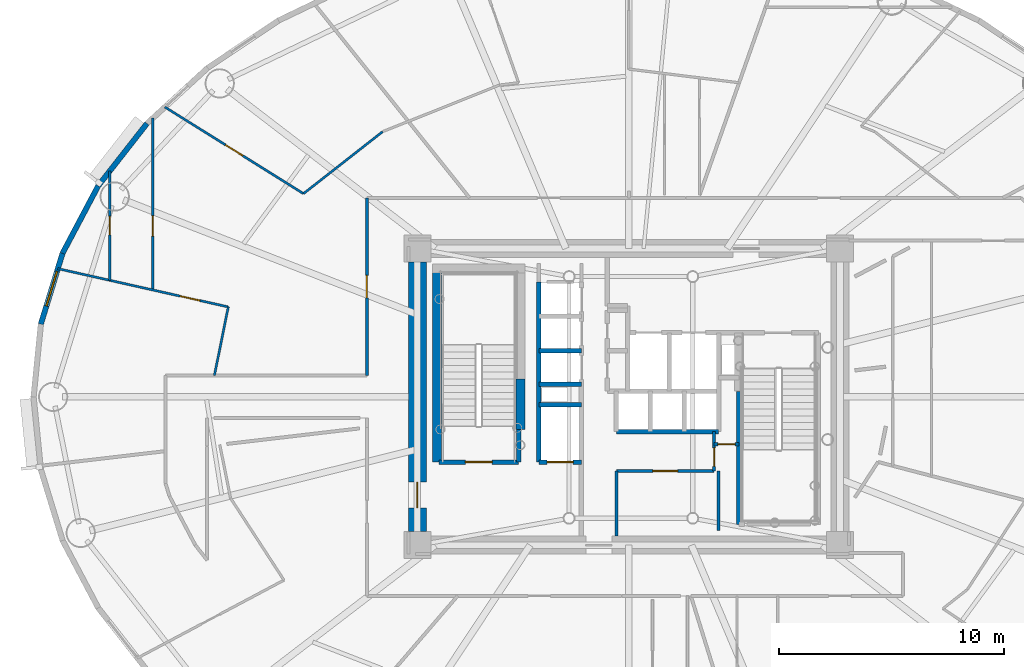
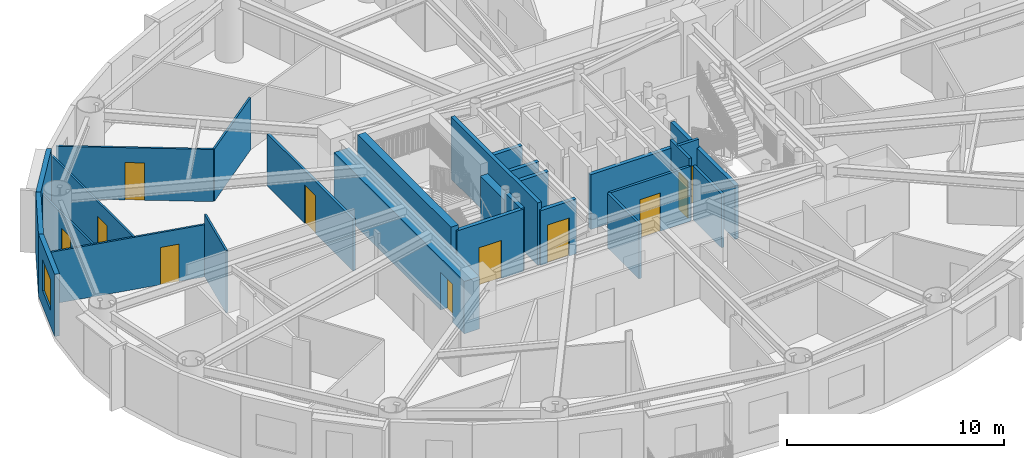
# One storey, part 7 of 17: 27 walls, 11 doors, 1 window, 12 openings.
"""IFC4 building model written with IfcOpenShell, lengths in metres."""

from ifc_helpers import new_model, si_unit, direction, frame, frame_2d, origin, origin_2d, place, context, subcontext, project, spatial, rectangle, extrude, source, transform, mapped, material, layer, layer_set, type_object, element, fill, save


model = new_model("IFC4")

# Units and contexts
model_context = context("Model", 3, precision=1e-05, world=origin(), true_north=direction((0.0, 1.0)))
body_context = subcontext(model_context, "Body", "Model", "MODEL_VIEW")
ifc_project = project(units=[si_unit("LENGTHUNIT", "METRE"), si_unit("AREAUNIT", "SQUARE_METRE"), si_unit("VOLUMEUNIT", "CUBIC_METRE"), si_unit("PLANEANGLEUNIT", "RADIAN"), si_unit("MASSUNIT", "GRAM", prefix="KILO")], contexts=[model_context])

# Site, building, storey
site_placement = place(None, origin())
site = spatial("IfcSite", under=ifc_project, at=site_placement, CompositionType="ELEMENT")
building_placement = place(site_placement, origin())
building = spatial("IfcBuilding", under=site, at=building_placement, Name="Linh Dai School and Residence Tower", CompositionType="ELEMENT")
storey_placement = place(building_placement, frame((0.0, 0.0, 182.39990234375)))
storey = spatial("IfcBuildingStorey", under=building, at=storey_placement, Name="L44", CompositionType="ELEMENT", Elevation=182.39990234375)

# Walls
ifc_material_1 = material(Name="Precast Concrete B45 (C35/45)", Category="concrete")
ifc_layer_1 = layer(ifc_material_1, 0.239990234375)
ifc_layer_set_1 = layer_set([ifc_layer_1], Name="Precast Concrete B45 (C35/45)")
wall_type_1 = type_object("IfcWallType", Name="EW-TC-240", PredefinedType="SOLIDWALL", material=ifc_layer_set_1)
wall_1_placement = place(storey_placement, frame((12.404052734375, 36.388427734375, 0.0), z_axis=(0.0, 0.0, 1.0), x_axis=(0.616287674549, 0.787521112224, 0.0)))
element("IfcWall", 1, at=wall_1_placement, inside=storey, type_object=wall_type_1, Name="L44 Terracotta Exterior Wall 17", PredefinedType="SOLIDWALL", context=body_context, shape_type="SweptSolid", body=[
    extrude(rectangle(XDim=3.517333984375, YDim=0.239990234375, at=frame_2d((1.7587890625, 0.0))), origin(), (0.0, 0.0, 1.0), 3.5),
])
wall_2_placement = place(storey_placement, frame((10.8173828125, 33.388916015625, 0.0), z_axis=(0.0, 0.0, 1.0), x_axis=(0.467586874938, 0.88394712194, 0.0)))
element("IfcWall", 2, at=wall_2_placement, inside=storey, type_object=wall_type_1, Name="L44 Terracotta Exterior Wall 18", PredefinedType="SOLIDWALL", context=body_context, shape_type="SweptSolid", body=[
    extrude(rectangle(XDim=3.393310546875, YDim=0.239990234375, at=frame_2d((1.69677734375, 0.0))), origin(), (0.0, 0.0, 1.0), 3.5),
])

# Wall, opening, window
wall_3_placement = place(storey_placement, frame((9.85009765625, 30.233642578125, 0.0), z_axis=(0.0, 0.0, 1.0), x_axis=(0.293097995113, 0.956082405058, 0.0)))
wall_3 = element("IfcWall", 3, at=wall_3_placement, inside=storey, type_object=wall_type_1, Name="L44 Terracotta Exterior Wall 19", PredefinedType="SOLIDWALL", context=body_context, shape_type="SweptSolid", body=[
    extrude(rectangle(XDim=3.30029296875, YDim=0.239990234375, at=frame_2d((1.650146484375, 0.0))), origin(), (0.0, 0.0, 1.0), 3.5),
])
opening_1_placement = place(wall_3_placement, frame((0.85009765625, 0.0, 0.89990234375)))
opening_1 = element("IfcOpeningElement", 4, at=opening_1_placement, cuts=wall_3, Name="Opening W2", PredefinedType="OPENING", context=body_context, shape_type="SweptSolid", body=[
    extrude(rectangle(XDim=1.60009765625, YDim=1.75, at=origin_2d()), frame((0.800048828125, 0.1298828125, 0.875), z_axis=(0.0, -1.0, 0.0), x_axis=(1.0, 0.0, 0.0)), (0.0, 0.0, 1.0), 0.260009765625),
])
ifc_material_2 = material(Name="Double Low-E Insulated Glazing", Category="glass")
window_type = type_object("IfcWindowType", Name="WN-RES-1600x1750", PartitioningType="DOUBLE_PANEL_VERTICAL", PredefinedType="WINDOW", material=ifc_material_2)
shared_shape_1 = source(origin(), body_context, "Body", "SweptSolid", [
    extrude(rectangle(XDim=1.60009765625, YDim=1.75, at=origin_2d()), frame((0.800048828125, 0.030029296875, 0.875), z_axis=(0.0, -1.0, 0.0), x_axis=(1.0, 0.0, 0.0)), (0.0, 0.0, 1.0), 0.06005859375),
])
window_placement = place(opening_1_placement, origin())
window = element("IfcWindow", 5, at=window_placement, inside=storey, type_object=window_type, Name="L44 Exterior Window 19.1", OverallHeight=1.75, OverallWidth=1.60009765625, PartitioningType="DOUBLE_PANEL_VERTICAL", PredefinedType="WINDOW", context=body_context, shape_type="MappedRepresentation", body=[
    mapped(shared_shape_1, transform((0.0, 0.0, 0.0), x_axis=(1.0, 0.0, 0.0), y_axis=(0.0, 1.0, 0.0), z_axis=(0.0, 0.0, 1.0), scale=1.0)),
])
fill(opening_1, window)

# Wall, opening, door
ifc_material_3 = material(Name="Autoclaved Aerated Concrete Blockwork", Category="masonry")
ifc_layer_2 = layer(ifc_material_3, 0.135009765625)
ifc_layer_set_2 = layer_set([ifc_layer_2], Name="Autoclaved Aerated Concrete Blockwork")
wall_type_2 = type_object("IfcWallType", Name="IW-CORR-135-EI90", PredefinedType="PARTITIONING", material=ifc_layer_set_2)
wall_4_placement = place(storey_placement, frame((24.35009765625, 27.949951171875, 0.0), z_axis=(0.0, 0.0, 1.0), x_axis=(0.0, 1.0, 0.0)))
wall_4 = element("IfcWall", 6, at=wall_4_placement, inside=storey, type_object=wall_type_2, Name="L44 Interior Partition Wall 023", PredefinedType="PARTITIONING", context=body_context, shape_type="SweptSolid", body=[
    extrude(rectangle(XDim=7.900146484375, YDim=0.135009765625, at=frame_2d((3.9501953125, 0.0))), origin(), (0.0, 0.0, 1.0), 2.93505859375),
])
opening_2_placement = place(wall_4_placement, frame((3.449951171875, 0.0, 0.0)))
opening_2 = element("IfcOpeningElement", 7, at=opening_2_placement, cuts=wall_4, Name="Opening D03", PredefinedType="OPENING", context=body_context, shape_type="SweptSolid", body=[
    extrude(rectangle(XDim=1.0, YDim=2.14990234375, at=origin_2d()), frame((0.5, 0.07763671875, 1.074951171875), z_axis=(0.0, -1.0, 0.0), x_axis=(1.0, 0.0, 0.0)), (0.0, 0.0, 1.0), 0.155029296875),
])
ifc_material_4 = material(Name="Fire-Rated Solid Timber Entrance Door", Category="wood")
door_type_1 = type_object("IfcDoorType", Name="DR-FLAT-1000x2150-FD60S", OperationType="NOTDEFINED", PredefinedType="DOOR", material=ifc_material_4)
shared_shape_2 = source(origin(), body_context, "Body", "SweptSolid", [
    extrude(rectangle(XDim=1.0, YDim=2.14990234375, at=origin_2d()), frame((0.5, 0.02490234375, 1.074951171875), z_axis=(0.0, -1.0, 0.0), x_axis=(1.0, 0.0, 0.0)), (0.0, 0.0, 1.0), 0.050048828125),
])
door_1_placement = place(opening_2_placement, origin())
door_1 = element("IfcDoor", 8, at=door_1_placement, inside=storey, type_object=door_type_1, Name="L44 U4403 Apartment Entrance Door", OperationType="SINGLE_SWING_LEFT", OverallHeight=2.14990234375, OverallWidth=1.0, PredefinedType="DOOR", context=body_context, shape_type="MappedRepresentation", body=[
    mapped(shared_shape_2, transform((0.0, 0.0, 0.0), x_axis=(1.0, 0.0, 0.0), y_axis=(0.0, 1.0, 0.0), z_axis=(0.0, 0.0, 1.0), scale=1.0)),
])
fill(opening_2, door_1)

# Wall
wall_5_placement = place(storey_placement, frame((35.449951171875, 20.800048828125, 0.0), z_axis=(0.0, 0.0, 1.0), x_axis=(0.0, 1.0, 0.0)))
element("IfcWall", 9, at=wall_5_placement, inside=storey, type_object=wall_type_2, Name="L44 Interior Partition Wall 047", PredefinedType="PARTITIONING", context=body_context, shape_type="SweptSolid", body=[
    extrude(rectangle(XDim=2.89990234375, YDim=0.135009765625, at=frame_2d((1.449951171875, 0.0))), origin(), (0.0, 0.0, 1.0), 3.085205078125),
])

# Wall, opening, door
wall_6_placement = place(storey_placement, frame((35.449951171875, 23.699951171875, 0.0), z_axis=(0.0, 0.0, 1.0), x_axis=(1.0, 0.0, 0.0)))
wall_6 = element("IfcWall", 10, at=wall_6_placement, inside=storey, type_object=wall_type_2, Name="L44 Interior Partition Wall 048", PredefinedType="PARTITIONING", context=body_context, shape_type="SweptSolid", body=[
    extrude(rectangle(XDim=4.35009765625, YDim=0.135009765625, at=frame_2d((2.175048828125, 0.0))), origin(), (0.0, 0.0, 1.0), 3.085205078125),
])
opening_3_placement = place(wall_6_placement, frame((1.625, 0.0, 0.0)))
opening_3 = element("IfcOpeningElement", 11, at=opening_3_placement, cuts=wall_6, Name="Opening D07", PredefinedType="OPENING", context=body_context, shape_type="SweptSolid", body=[
    extrude(rectangle(XDim=1.10009765625, YDim=2.14990234375, at=origin_2d()), frame((0.550048828125, 0.07763671875, 1.074951171875), z_axis=(0.0, -1.0, 0.0), x_axis=(1.0, 0.0, 0.0)), (0.0, 0.0, 1.0), 0.155029296875),
])
ifc_material_5 = material(Name="Fire-Rated Louvred Steel Plant Door", Category="steel")
door_type_2 = type_object("IfcDoorType", Name="DR-PLT-1100x2150-FD60S", OperationType="NOTDEFINED", PredefinedType="DOOR", material=ifc_material_5)
shared_shape_3 = source(origin(), body_context, "Body", "SweptSolid", [
    extrude(rectangle(XDim=1.10009765625, YDim=2.14990234375, at=origin_2d()), frame((0.550048828125, 0.02490234375, 1.074951171875), z_axis=(0.0, -1.0, 0.0), x_axis=(1.0, 0.0, 0.0)), (0.0, 0.0, 1.0), 0.050048828125),
])
door_2_placement = place(opening_3_placement, origin())
door_2 = element("IfcDoor", 12, at=door_2_placement, inside=storey, type_object=door_type_2, Name="L44 Tenant Metering and BMS Room Door", OperationType="SINGLE_SWING_LEFT", OverallHeight=2.14990234375, OverallWidth=1.10009765625, PredefinedType="DOOR", context=body_context, shape_type="MappedRepresentation", body=[
    mapped(shared_shape_3, transform((0.0, 0.0, 0.0), x_axis=(1.0, 0.0, 0.0), y_axis=(0.0, 1.0, 0.0), z_axis=(0.0, 0.0, 1.0), scale=1.0)),
])
fill(opening_3, door_2)

wall_7_placement = place(storey_placement, frame((39.800048828125, 23.699951171875, 0.0), z_axis=(0.0, 0.0, 1.0), x_axis=(0.0, 1.0, 0.0)))
wall_7 = element("IfcWall", 13, at=wall_7_placement, inside=storey, type_object=wall_type_2, Name="L44 Interior Partition Wall 068", PredefinedType="PARTITIONING", context=body_context, shape_type="SweptSolid", body=[
    extrude(rectangle(XDim=1.75, YDim=0.135009765625, at=frame_2d((0.875, 0.0))), origin(), (0.0, 0.0, 1.0), 3.5),
])
opening_4_placement = place(wall_7_placement, frame((0.2099609375, 0.0, 0.0)))
opening_4 = element("IfcOpeningElement", 14, at=opening_4_placement, cuts=wall_7, Name="Opening D06", PredefinedType="OPENING", context=body_context, shape_type="SweptSolid", body=[
    extrude(rectangle(XDim=0.820068359375, YDim=2.10009765625, at=origin_2d()), frame((0.41015625, 0.07763671875, 1.050048828125), z_axis=(0.0, -1.0, 0.0), x_axis=(1.0, 0.0, 0.0)), (0.0, 0.0, 1.0), 0.155029296875),
])
ifc_material_6 = material(Name="Moisture-Resistant Timber Bathroom Door", Category="wood")
door_type_3 = type_object("IfcDoorType", Name="DR-WET-820x2100", OperationType="NOTDEFINED", PredefinedType="DOOR", material=ifc_material_6)
shared_shape_4 = source(origin(), body_context, "Body", "SweptSolid", [
    extrude(rectangle(XDim=0.820068359375, YDim=2.10009765625, at=origin_2d()), frame((0.41015625, 0.02490234375, 1.050048828125), z_axis=(0.0, -1.0, 0.0), x_axis=(1.0, 0.0, 0.0)), (0.0, 0.0, 1.0), 0.050048828125),
])
door_3_placement = place(opening_4_placement, origin())
door_3 = element("IfcDoor", 15, at=door_3_placement, inside=storey, type_object=door_type_3, Name="L44 SE Metering Closet Door", OperationType="SINGLE_SWING_RIGHT", OverallHeight=2.10009765625, OverallWidth=0.820068359375, PredefinedType="DOOR", context=body_context, shape_type="MappedRepresentation", body=[
    mapped(shared_shape_4, transform((0.0, 0.0, 0.0), x_axis=(1.0, 0.0, 0.0), y_axis=(0.0, 1.0, 0.0), z_axis=(0.0, 0.0, 1.0), scale=1.0)),
])
fill(opening_4, door_3)

# Wall
wall_8_placement = place(storey_placement, frame((40.0, 23.699951171875, 0.0), z_axis=(0.0, 0.0, 1.0), x_axis=(0.0, -1.0, 0.0)))
element("IfcWall", 16, at=wall_8_placement, inside=storey, type_object=wall_type_2, Name="L44 Interior Partition Wall 102", PredefinedType="PARTITIONING", context=body_context, shape_type="SweptSolid", body=[
    extrude(rectangle(XDim=2.639892578125, YDim=0.135009765625, at=frame_2d((1.31982421875, 0.0))), origin(), (0.0, 0.0, 1.0), 3.03515625),
])

# Wall, opening, door
ifc_layer_3 = layer(ifc_material_3, 0.14990234375)
ifc_layer_set_3 = layer_set([ifc_layer_3], Name="Autoclaved Aerated Concrete Blockwork")
wall_type_3 = type_object("IfcWallType", Name="IW-SCH-150-EI60", PredefinedType="PARTITIONING", material=ifc_layer_set_3)
wall_9_placement = place(storey_placement, frame((39.800048828125, 24.89990234375, 0.0), z_axis=(0.0, 0.0, 1.0), x_axis=(1.0, 0.0, 0.0)))
wall_9 = element("IfcWall", 17, at=wall_9_placement, inside=storey, type_object=wall_type_3, Name="L44 Interior Partition Wall 069", PredefinedType="PARTITIONING", context=body_context, shape_type="SweptSolid", body=[
    extrude(rectangle(XDim=1.099853515625, YDim=0.14990234375, at=frame_2d((0.5498046875, 0.0))), origin(), (0.0, 0.0, 1.0), 3.5),
])
opening_5_placement = place(wall_9_placement, frame((0.169921875, 0.0, 0.0)))
opening_5 = element("IfcOpeningElement", 18, at=opening_5_placement, cuts=wall_9, Name="Opening D08", PredefinedType="OPENING", context=body_context, shape_type="SweptSolid", body=[
    extrude(rectangle(XDim=0.760009765625, YDim=2.10009765625, at=origin_2d()), frame((0.3798828125, 0.0849609375, 1.050048828125), z_axis=(0.0, -1.0, 0.0), x_axis=(1.0, 0.0, 0.0)), (0.0, 0.0, 1.0), 0.169921875),
])
ifc_material_7 = material(Name="Engineered Timber Closet and Study Door", Category="wood")
door_type_4 = type_object("IfcDoorType", Name="DR-CMP-760x2100", OperationType="NOTDEFINED", PredefinedType="DOOR", material=ifc_material_7)
shared_shape_5 = source(origin(), body_context, "Body", "SweptSolid", [
    extrude(rectangle(XDim=0.760009765625, YDim=2.10009765625, at=origin_2d()), frame((0.3798828125, 0.02490234375, 1.050048828125), z_axis=(0.0, -1.0, 0.0), x_axis=(1.0, 0.0, 0.0)), (0.0, 0.0, 1.0), 0.050048828125),
])
door_4_placement = place(opening_5_placement, origin())
door_4 = element("IfcDoor", 19, at=door_4_placement, inside=storey, type_object=door_type_4, Name="L44 NE Cleaners Store Door", OperationType="SINGLE_SWING_LEFT", OverallHeight=2.10009765625, OverallWidth=0.760009765625, PredefinedType="DOOR", context=body_context, shape_type="MappedRepresentation", body=[
    mapped(shared_shape_5, transform((0.0, 0.0, 0.0), x_axis=(1.0, 0.0, 0.0), y_axis=(0.0, 1.0, 0.0), z_axis=(0.0, 0.0, 1.0), scale=1.0)),
])
fill(opening_5, door_4)

ifc_material_8 = material(Name="Concrete B45 (C35/45)", Category="concrete")
ifc_layer_4 = layer(ifc_material_8, 0.199951171875)
ifc_layer_set_4 = layer_set([ifc_layer_4], Name="Concrete B45 (C35/45)")
wall_type_4 = type_object("IfcWallType", Name="IW-SHAFT-200-EI120", PredefinedType="PARTITIONING", material=ifc_layer_set_4)
wall_10_placement = place(storey_placement, frame((27.56005859375, 24.10009765625, 0.0), z_axis=(0.0, 0.0, 1.0), x_axis=(1.0, 0.0, 0.0)))
wall_10 = element("IfcWall", 20, at=wall_10_placement, inside=storey, type_object=wall_type_4, Name="L44 Interior Partition Wall 027", PredefinedType="PARTITIONING", context=body_context, shape_type="SweptSolid", body=[
    extrude(rectangle(XDim=3.5400390625, YDim=0.199951171875, at=frame_2d((1.77001953125, 0.0))), origin(), (0.0, 0.0, 1.0), 3.5),
])
opening_6_placement = place(wall_10_placement, frame((1.169921875, 0.0, 0.0)))
opening_6 = element("IfcOpeningElement", 21, at=opening_6_placement, cuts=wall_10, Name="Opening D01", PredefinedType="OPENING", context=body_context, shape_type="SweptSolid", body=[
    extrude(rectangle(XDim=1.199951171875, YDim=2.14990234375, at=origin_2d()), frame((0.60009765625, 0.10986328125, 1.074951171875), z_axis=(0.0, -1.0, 0.0), x_axis=(1.0, 0.0, 0.0)), (0.0, 0.0, 1.0), 0.219970703125),
])
ifc_material_9 = material(Name="Fire-Rated Steel Door Leaf", Category="steel")
door_type_5 = type_object("IfcDoorType", Name="DR-STAIR-1200x2150-FD90S", OperationType="NOTDEFINED", PredefinedType="DOOR", material=ifc_material_9)
shared_shape_6 = source(origin(), body_context, "Body", "SweptSolid", [
    extrude(rectangle(XDim=1.199951171875, YDim=2.14990234375, at=origin_2d()), frame((0.60009765625, 0.02490234375, 1.074951171875), z_axis=(0.0, -1.0, 0.0), x_axis=(1.0, 0.0, 0.0)), (0.0, 0.0, 1.0), 0.050048828125),
])
door_5_placement = place(opening_6_placement, origin())
door_5 = element("IfcDoor", 22, at=door_5_placement, inside=storey, type_object=door_type_5, Name="L44 Core Smokeproof Exit Stair ST1 Door", OperationType="SINGLE_SWING_RIGHT", OverallHeight=2.14990234375, OverallWidth=1.199951171875, PredefinedType="DOOR", context=body_context, shape_type="MappedRepresentation", body=[
    mapped(shared_shape_6, transform((0.0, 0.0, 0.0), x_axis=(1.0, 0.0, 0.0), y_axis=(0.0, 1.0, 0.0), z_axis=(0.0, 0.0, 1.0), scale=1.0)),
])
fill(opening_6, door_5)

# Walls
wall_11_placement = place(storey_placement, frame((31.10009765625, 24.10009765625, 0.0), z_axis=(0.0, 0.0, 1.0), x_axis=(0.0, 1.0, 0.0)))
element("IfcWall", 23, at=wall_11_placement, inside=storey, type_object=wall_type_4, Name="L44 Interior Partition Wall 032", PredefinedType="PARTITIONING", context=body_context, shape_type="SweptSolid", body=[
    extrude(rectangle(XDim=1.43994140625, YDim=0.199951171875, at=frame_2d((0.719970703125, 0.0))), origin(), (0.0, 0.0, 1.0), 3.5),
])
wall_12_placement = place(storey_placement, frame((32.0, 24.10009765625, 0.0), z_axis=(0.0, 0.0, 1.0), x_axis=(0.0, 1.0, 0.0)))
element("IfcWall", 24, at=wall_12_placement, inside=storey, type_object=wall_type_4, Name="L44 Interior Partition Wall 033", PredefinedType="PARTITIONING", context=body_context, shape_type="SweptSolid", body=[
    extrude(rectangle(XDim=8.0, YDim=0.199951171875, at=frame_2d((4.0, 0.0))), origin(), (0.0, 0.0, 1.0), 3.5),
])

# Wall, opening, door
wall_13_placement = place(storey_placement, frame((32.0, 24.10009765625, 0.0), z_axis=(0.0, 0.0, 1.0), x_axis=(1.0, 0.0, 0.0)))
wall_13 = element("IfcWall", 25, at=wall_13_placement, inside=storey, type_object=wall_type_4, Name="L44 Interior Partition Wall 034", PredefinedType="PARTITIONING", context=body_context, shape_type="SweptSolid", body=[
    extrude(rectangle(XDim=1.89990234375, YDim=0.199951171875, at=frame_2d((0.949951171875, 0.0))), origin(), (0.0, 0.0, 1.0), 3.085205078125),
])
opening_7_placement = place(wall_13_placement, frame((0.375, 0.0, 0.0)))
opening_7 = element("IfcOpeningElement", 26, at=opening_7_placement, cuts=wall_13, Name="Opening LD-FF2", PredefinedType="OPENING", context=body_context, shape_type="SweptSolid", body=[
    extrude(rectangle(XDim=1.14990234375, YDim=2.14990234375, at=origin_2d()), frame((0.574951171875, 0.10986328125, 1.074951171875), z_axis=(0.0, -1.0, 0.0), x_axis=(1.0, 0.0, 0.0)), (0.0, 0.0, 1.0), 0.219970703125),
])
ifc_material_10 = material(Name="Fire-Rated Stainless Steel Firefighting Lift Door", Category="steel")
door_type_6 = type_object("IfcDoorType", Name="DR-LD-FF-1150x2150-FD120", OperationType="DOUBLE_DOOR_SLIDING", PredefinedType="USERDEFINED", material=ifc_material_10)
shared_shape_7 = source(origin(), body_context, "Body", "SweptSolid", [
    extrude(rectangle(XDim=1.14990234375, YDim=2.14990234375, at=origin_2d()), frame((0.574951171875, 0.02490234375, 1.074951171875), z_axis=(0.0, -1.0, 0.0), x_axis=(1.0, 0.0, 0.0)), (0.0, 0.0, 1.0), 0.050048828125),
])
door_6_placement = place(opening_7_placement, origin())
door_6 = element("IfcDoor", 27, at=door_6_placement, inside=storey, type_object=door_type_6, Name="L44 Lift FF2 Sliding Landing Door", ObjectType="LANDING DOOR", OperationType="DOUBLE_DOOR_SLIDING", OverallHeight=2.14990234375, OverallWidth=1.14990234375, PredefinedType="USERDEFINED", context=body_context, shape_type="MappedRepresentation", body=[
    mapped(shared_shape_7, transform((0.0, 0.0, 0.0), x_axis=(1.0, 0.0, 0.0), y_axis=(0.0, 1.0, 0.0), z_axis=(0.0, 0.0, 1.0), scale=1.0)),
])
fill(opening_7, door_6)

# Walls
for number, where, z_axis, x_axis, name in (
    (28, (32.0, 26.64990234375, 0.0), (0.0, 0.0, 1.0), (1.0, 0.0, 0.0), "L44 Interior Partition Wall 035"),
    (29, (32.0, 27.550048828125, 0.0), (0.0, 0.0, 1.0), (1.0, 0.0, 0.0), "L44 Interior Partition Wall 036"),
    (30, (32.0, 29.06005859375, 0.0), (0.0, 0.0, 1.0), (1.0, 0.0, 0.0), "L44 Interior Partition Wall 037"),
):
    element("IfcWall", number, at=place(storey_placement, frame(where, z_axis=z_axis, x_axis=x_axis)), inside=storey, type_object=wall_type_4, Name=name, PredefinedType="PARTITIONING", context=body_context, shape_type="SweptSolid", body=[
        extrude(rectangle(XDim=1.89990234375, YDim=0.199951171875, at=frame_2d((0.949951171875, 0.0))), origin(), (0.0, 0.0, 1.0), 3.085205078125),
    ])
wall_14_placement = place(storey_placement, frame((35.449951171875, 25.449951171875, 0.0), z_axis=(0.0, 0.0, 1.0), x_axis=(1.0, 0.0, 0.0)))
element("IfcWall", 31, at=wall_14_placement, inside=storey, type_object=wall_type_4, Name="L44 Interior Partition Wall 050", PredefinedType="PARTITIONING", context=body_context, shape_type="SweptSolid", body=[
    extrude(rectangle(XDim=4.550048828125, YDim=0.199951171875, at=frame_2d((2.27490234375, 0.0))), origin(), (0.0, 0.0, 1.0), 3.085205078125),
])
wall_15_placement = place(storey_placement, frame((40.89990234375, 21.330078125, 0.0), z_axis=(0.0, 0.0, 1.0), x_axis=(0.0, 1.0, 0.0)))
element("IfcWall", 32, at=wall_15_placement, inside=storey, type_object=wall_type_4, Name="L44 Interior Partition Wall 073", PredefinedType="PARTITIONING", context=body_context, shape_type="SweptSolid", body=[
    extrude(rectangle(XDim=5.909912109375, YDim=0.199951171875, at=frame_2d((2.955078125, 0.0))), origin(), (0.0, 0.0, 1.0), 3.03515625),
])

# Wall, opening, door
ifc_material_11 = material(Name="Gypsum Plasterboard Acoustic Stud Partition", Category="masonry")
ifc_layer_5 = layer(ifc_material_11, 0.10009765625)
ifc_layer_set_5 = layer_set([ifc_layer_5], Name="Gypsum Plasterboard Acoustic Stud Partition")
wall_type_5 = type_object("IfcWallType", Name="IW-UNIT-100", PredefinedType="PARTITIONING", material=ifc_layer_set_5)
wall_16_placement = place(storey_placement, frame((10.60205078125, 32.7041015625, 0.0), z_axis=(0.0, 0.0, 1.0), x_axis=(0.9756977614, -0.21912069368, 0.0)))
wall_16 = element("IfcWall", 33, at=wall_16_placement, inside=storey, type_object=wall_type_5, Name="L44 Interior Partition Wall 002", PredefinedType="PARTITIONING", context=body_context, shape_type="SweptSolid", body=[
    extrude(rectangle(XDim=7.77587890625, YDim=0.10009765625, at=frame_2d((3.887939453125, 0.0))), origin(), (0.0, 0.0, 1.0), 2.93505859375),
])
opening_8_placement = place(wall_16_placement, frame((5.5859375, 0.0, 0.0)))
opening_8 = element("IfcOpeningElement", 34, at=opening_8_placement, cuts=wall_16, Name="Opening D05", PredefinedType="OPENING", context=body_context, shape_type="SweptSolid", body=[
    extrude(rectangle(XDim=0.89990234375, YDim=2.10009765625, at=origin_2d()), frame((0.449951171875, 0.06005859375, 1.050048828125), z_axis=(0.0, -1.0, 0.0), x_axis=(1.0, 0.0, 0.0)), (0.0, 0.0, 1.0), 0.1201171875),
])
ifc_material_12 = material(Name="Engineered Timber Internal Door", Category="wood")
door_type_7 = type_object("IfcDoorType", Name="DR-INT-900x2100", OperationType="NOTDEFINED", PredefinedType="DOOR", material=ifc_material_12)
shared_shape_8 = source(origin(), body_context, "Body", "SweptSolid", [
    extrude(rectangle(XDim=0.89990234375, YDim=2.10009765625, at=origin_2d()), frame((0.449951171875, 0.02490234375, 1.050048828125), z_axis=(0.0, -1.0, 0.0), x_axis=(1.0, 0.0, 0.0)), (0.0, 0.0, 1.0), 0.050048828125),
])
door_7_placement = place(opening_8_placement, origin())
door_7 = element("IfcDoor", 35, at=door_7_placement, inside=storey, type_object=door_type_7, Name="L44 Apartment U4403 Principal Bedroom 2 Door", OperationType="SINGLE_SWING_LEFT", OverallHeight=2.10009765625, OverallWidth=0.89990234375, PredefinedType="DOOR", context=body_context, shape_type="MappedRepresentation", body=[
    mapped(shared_shape_8, transform((0.0, 0.0, 0.0), x_axis=(1.0, 0.0, 0.0), y_axis=(0.0, 1.0, 0.0), z_axis=(0.0, 0.0, 1.0), scale=1.0)),
])
fill(opening_8, door_7)

wall_17_placement = place(storey_placement, frame((12.911865234375, 32.185302734375, 0.0), z_axis=(0.0, 0.0, 1.0), x_axis=(0.0, 1.0, 0.0)))
wall_17 = element("IfcWall", 36, at=wall_17_placement, inside=storey, type_object=wall_type_5, Name="L44 Interior Partition Wall 003", PredefinedType="PARTITIONING", context=body_context, shape_type="SweptSolid", body=[
    extrude(rectangle(XDim=4.860107421875, YDim=0.10009765625, at=frame_2d((2.43017578125, 0.0))), origin(), (0.0, 0.0, 1.0), 2.93505859375),
])
opening_9_placement = place(wall_17_placement, frame((2.02001953125, 0.0, 0.0)))
opening_9 = element("IfcOpeningElement", 37, at=opening_9_placement, cuts=wall_17, Name="Opening D06", PredefinedType="OPENING", context=body_context, shape_type="SweptSolid", body=[
    extrude(rectangle(XDim=0.820068359375, YDim=2.10009765625, at=origin_2d()), frame((0.41015625, 0.06005859375, 1.050048828125), z_axis=(0.0, -1.0, 0.0), x_axis=(1.0, 0.0, 0.0)), (0.0, 0.0, 1.0), 0.1201171875),
])
door_8_placement = place(opening_9_placement, origin())
door_8 = element("IfcDoor", 38, at=door_8_placement, inside=storey, type_object=door_type_3, Name="L44 Apartment U4403 Bathroom 1 Door", OperationType="SINGLE_SWING_LEFT", OverallHeight=2.10009765625, OverallWidth=0.820068359375, PredefinedType="DOOR", context=body_context, shape_type="MappedRepresentation", body=[
    mapped(shared_shape_4, transform((0.0, 0.0, 0.0), x_axis=(1.0, 0.0, 0.0), y_axis=(0.0, 1.0, 0.0), z_axis=(0.0, 0.0, 1.0), scale=1.0)),
])
fill(opening_9, door_8)

wall_18_placement = place(storey_placement, frame((14.832763671875, 31.75390625, 0.0), z_axis=(0.0, 0.0, 1.0), x_axis=(0.0, 1.0, 0.0)))
wall_18 = element("IfcWall", 39, at=wall_18_placement, inside=storey, type_object=wall_type_5, Name="L44 Interior Partition Wall 005", PredefinedType="PARTITIONING", context=body_context, shape_type="SweptSolid", body=[
    extrude(rectangle(XDim=7.650634765625, YDim=0.10009765625, at=frame_2d((3.8251953125, 0.0))), origin(), (0.0, 0.0, 1.0), 2.93505859375),
])
opening_10_placement = place(wall_18_placement, frame((2.398681640625, 0.0, 0.0)))
opening_10 = element("IfcOpeningElement", 40, at=opening_10_placement, cuts=wall_18, Name="Opening D05", PredefinedType="OPENING", context=body_context, shape_type="SweptSolid", body=[
    extrude(rectangle(XDim=0.89990234375, YDim=2.10009765625, at=origin_2d()), frame((0.449951171875, 0.06005859375, 1.050048828125), z_axis=(0.0, -1.0, 0.0), x_axis=(1.0, 0.0, 0.0)), (0.0, 0.0, 1.0), 0.1201171875),
])
door_9_placement = place(opening_10_placement, origin())
door_9 = element("IfcDoor", 41, at=door_9_placement, inside=storey, type_object=door_type_7, Name="L44 Apartment U4403 Kitchen Door", OperationType="SINGLE_SWING_RIGHT", OverallHeight=2.10009765625, OverallWidth=0.89990234375, PredefinedType="DOOR", context=body_context, shape_type="MappedRepresentation", body=[
    mapped(shared_shape_8, transform((0.0, 0.0, 0.0), x_axis=(1.0, 0.0, 0.0), y_axis=(0.0, 1.0, 0.0), z_axis=(0.0, 0.0, 1.0), scale=1.0)),
])
fill(opening_10, door_9)

wall_19_placement = place(storey_placement, frame((15.365966796875, 39.8935546875, 0.0), z_axis=(0.0, 0.0, 1.0), x_axis=(0.84804732756, -0.529920494242, 0.0)))
wall_19 = element("IfcWall", 42, at=wall_19_placement, inside=storey, type_object=wall_type_5, Name="L44 Interior Partition Wall 006", PredefinedType="PARTITIONING", context=body_context, shape_type="SweptSolid", body=[
    extrude(rectangle(XDim=7.273681640625, YDim=0.10009765625, at=frame_2d((3.63671875, 0.0))), origin(), (0.0, 0.0, 1.0), 2.93505859375),
])
opening_11_placement = place(wall_19_placement, frame((3.186767578125, 0.0, 0.0)))
opening_11 = element("IfcOpeningElement", 43, at=opening_11_placement, cuts=wall_19, Name="Opening D05", PredefinedType="OPENING", context=body_context, shape_type="SweptSolid", body=[
    extrude(rectangle(XDim=0.89990234375, YDim=2.10009765625, at=origin_2d()), frame((0.449951171875, 0.06005859375, 1.050048828125), z_axis=(0.0, -1.0, 0.0), x_axis=(1.0, 0.0, 0.0)), (0.0, 0.0, 1.0), 0.1201171875),
])
door_10_placement = place(opening_11_placement, origin())
door_10 = element("IfcDoor", 44, at=door_10_placement, inside=storey, type_object=door_type_7, Name="L44 Apartment U4403 Principal Bedroom 1 Door", OperationType="SINGLE_SWING_RIGHT", OverallHeight=2.10009765625, OverallWidth=0.89990234375, PredefinedType="DOOR", context=body_context, shape_type="MappedRepresentation", body=[
    mapped(shared_shape_8, transform((0.0, 0.0, 0.0), x_axis=(1.0, 0.0, 0.0), y_axis=(0.0, 1.0, 0.0), z_axis=(0.0, 0.0, 1.0), scale=1.0)),
])
fill(opening_11, door_10)

# Walls
wall_20_placement = place(storey_placement, frame((17.572265625, 27.949951171875, 0.0), z_axis=(0.0, 0.0, 1.0), x_axis=(0.19818274337, 0.980165088253, 0.0)))
element("IfcWall", 45, at=wall_20_placement, inside=storey, type_object=wall_type_5, Name="L44 Interior Partition Wall 014", PredefinedType="PARTITIONING", context=body_context, shape_type="SweptSolid", body=[
    extrude(rectangle(XDim=3.11181640625, YDim=0.10009765625, at=frame_2d((1.555908203125, 0.0))), origin(), (0.0, 0.0, 1.0), 3.5),
])
wall_21_placement = place(storey_placement, frame((21.534423828125, 36.0390625, 0.0), z_axis=(0.0, 0.0, 1.0), x_axis=(0.787313734036, 0.616552580238, 0.0)))
element("IfcWall", 46, at=wall_21_placement, inside=storey, type_object=wall_type_5, Name="L44 Interior Partition Wall 019", PredefinedType="PARTITIONING", context=body_context, shape_type="SweptSolid", body=[
    extrude(rectangle(XDim=4.47216796875, YDim=0.10009765625, at=frame_2d((2.236083984375, 0.0))), origin(), (0.0, 0.0, 1.0), 2.93505859375),
])
ifc_layer_6 = layer(ifc_material_8, 0.39990234375)
ifc_layer_set_6 = layer_set([ifc_layer_6], Name="Concrete B45 (C35/45)")
wall_type_6 = type_object("IfcWallType", Name="WL-CORE400", PredefinedType="SHEAR", material=ifc_layer_set_6)
wall_22_placement = place(storey_placement, frame((27.47998046875, 24.10009765625, 0.0), z_axis=(0.0, 0.0, 1.0), x_axis=(0.0, 1.0, 0.0)))
element("IfcWall", 47, at=wall_22_placement, inside=storey, type_object=wall_type_6, Name="L44 Core Stair ST1 Bearing Wall W", PredefinedType="SHEAR", context=body_context, shape_type="SweptSolid", body=[
    extrude(rectangle(XDim=8.599853515625, YDim=0.39990234375, at=frame_2d((4.2998046875, 0.0))), origin(), (0.0, 0.0, 1.0), 3.75),
])
wall_23_placement = place(storey_placement, frame((31.179931640625, 25.550048828125, 0.0), z_axis=(0.0, 0.0, 1.0), x_axis=(0.0, 1.0, 0.0)))
element("IfcWall", 48, at=wall_23_placement, inside=storey, type_object=wall_type_6, Name="L44 Internal Core Shear Wall IW", PredefinedType="SHEAR", context=body_context, shape_type="SweptSolid", body=[
    extrude(rectangle(XDim=2.25, YDim=0.39990234375, at=frame_2d((1.125, 0.0))), origin(), (0.0, 0.0, 1.0), 3.10009765625),
])

# Wall, opening, door
ifc_material_13 = material(Name="Concrete B60 (C50/60)", Category="concrete")
ifc_layer_7 = layer(ifc_material_13, 0.800048828125)
ifc_layer_set_7 = layer_set([ifc_layer_7], Name="Concrete B60 (C50/60)")
wall_type_7 = type_object("IfcWallType", Name="WL-CORE800", PredefinedType="SHEAR", material=ifc_layer_set_7)
wall_24_placement = place(storey_placement, frame((26.60009765625, 21.0, 0.0), z_axis=(0.0, 0.0, 1.0), x_axis=(0.0, 1.0, 0.0)))
wall_24 = element("IfcWall", 49, at=wall_24_placement, inside=storey, type_object=wall_type_7, Name="L44 Central Core Shear Wall W", PredefinedType="SHEAR", context=body_context, shape_type="SweptSolid", body=[
    extrude(rectangle(XDim=12.0, YDim=0.800048828125, at=frame_2d((6.0, 0.0))), origin(), (0.0, 0.0, 1.0), 2.9501953125),
])
opening_12_placement = place(wall_24_placement, frame((1.061279296875, 0.0, 0.0)))
opening_12 = element("IfcOpeningElement", 50, at=opening_12_placement, cuts=wall_24, Name="Opening D02", PredefinedType="OPENING", context=body_context, shape_type="SweptSolid", body=[
    extrude(rectangle(XDim=1.14990234375, YDim=2.14990234375, at=origin_2d()), frame((0.574951171875, 0.41015625, 1.074951171875), z_axis=(0.0, -1.0, 0.0), x_axis=(1.0, 0.0, 0.0)), (0.0, 0.0, 1.0), 0.820068359375),
])
ifc_material_14 = material(Name="Fire-Rated Glazed Steel Lobby Door", Category="steel")
door_type_8 = type_object("IfcDoorType", Name="DR-LOBBY-1150x2150-FD90S", OperationType="NOTDEFINED", PredefinedType="DOOR", material=ifc_material_14)
shared_shape_9 = source(origin(), body_context, "Body", "SweptSolid", [
    extrude(rectangle(XDim=1.14990234375, YDim=2.14990234375, at=origin_2d()), frame((0.574951171875, 0.02490234375, 1.074951171875), z_axis=(0.0, -1.0, 0.0), x_axis=(1.0, 0.0, 0.0)), (0.0, 0.0, 1.0), 0.050048828125),
])
door_11_placement = place(opening_12_placement, origin())
door_11 = element("IfcDoor", 51, at=door_11_placement, inside=storey, type_object=door_type_8, Name="L44 Firefighting Lobby Door", OperationType="SINGLE_SWING_LEFT", OverallHeight=2.14990234375, OverallWidth=1.14990234375, PredefinedType="DOOR", context=body_context, shape_type="MappedRepresentation", body=[
    mapped(shared_shape_9, transform((0.0, 0.0, 0.0), x_axis=(1.0, 0.0, 0.0), y_axis=(0.0, 1.0, 0.0), z_axis=(0.0, 0.0, 1.0), scale=1.0)),
])
fill(opening_12, door_11)

save(model, "model.ifc")
